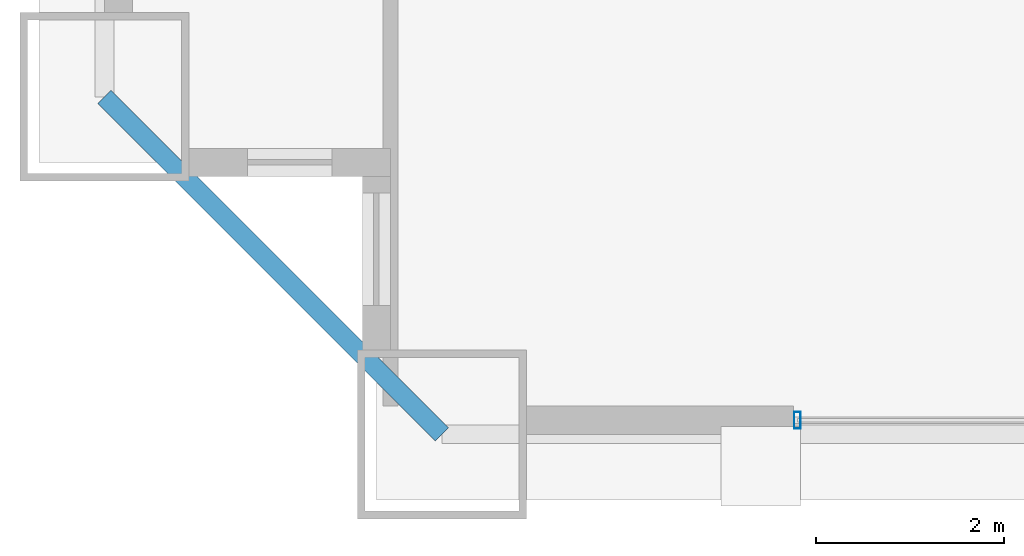
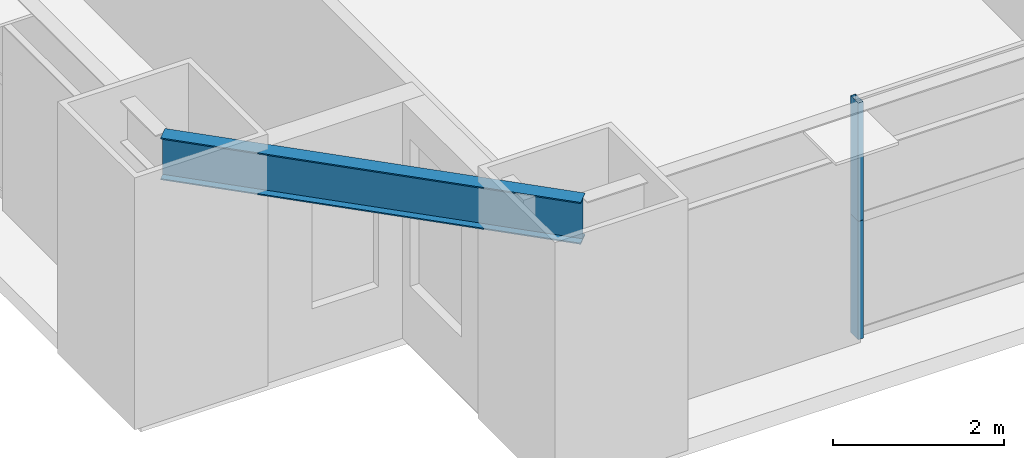
# One storey, part 3 of 43: 2 members, 1 beam, 1 element without a shape of its own.
"""IFC4 building model written with IfcOpenShell, lengths in metres."""

from ifc_helpers import new_model, si_unit, direction, frame, origin, origin_2d, place, context, subcontext, project, spatial, hollow_rectangle, i_section, extrude, source, transform, mapped, material, layer, layer_set, material_profile, profile_set, type_object, element, aggregate, save


model = new_model("IFC4")

# Units and contexts
model_context = context("Model", 3, precision=1e-05, world=origin(), true_north=direction((0.0, 1.0)))
body_context = subcontext(model_context, "Body", "Model", "MODEL_VIEW")
ifc_project = project(units=[si_unit("LENGTHUNIT", "METRE"), si_unit("AREAUNIT", "SQUARE_METRE"), si_unit("VOLUMEUNIT", "CUBIC_METRE"), si_unit("PLANEANGLEUNIT", "RADIAN"), si_unit("MASSUNIT", "GRAM", prefix="KILO"), si_unit("THERMODYNAMICTEMPERATUREUNIT", "KELVIN"), si_unit("POWERUNIT", "WATT")], contexts=[model_context])

# Site, building, storey
site_placement = place(None, origin())
site = spatial("IfcSite", under=ifc_project, at=site_placement, CompositionType="ELEMENT")
building_placement = place(site_placement, origin())
building = spatial("IfcBuilding", under=site, at=building_placement, Name="Yuzanri Waterfront Tower", CompositionType="ELEMENT")
storey_placement = place(building_placement, frame((0.0, 0.0, 71.199951171875)))
storey = spatial("IfcBuildingStorey", under=building, at=storey_placement, Name="L18", CompositionType="ELEMENT", Elevation=71.199951171875)

# Beam
ifc_material_1 = material(Name="Steel Q355B", Category="steel")
ifc_material_profile_1 = material_profile(ifc_material_1, i_section(OverallWidth=0.199951171875, OverallDepth=0.60009765625, WebThickness=0.010986328125, FlangeThickness=0.01708984375, at=origin_2d()), Name="HN 600x200x11x17")
ifc_profile_set_1 = profile_set([ifc_material_profile_1], Name="Steel Q355B")
beam_type = type_object("IfcBeamType", Name="Perimeter Spandrel Q355B HN 600x200", PredefinedType="SPANDREL", material=ifc_profile_set_1)
shared_shape_1 = source(origin(), body_context, "Body", "SweptSolid", [
    extrude(i_section(OverallWidth=0.199951171875, OverallDepth=0.60009765625, WebThickness=0.010986328125, FlangeThickness=0.01708984375, at=origin_2d()), origin(), (0.0, 0.0, 1.0), 5.09130859375),
])
beam_placement = place(storey_placement, frame((11.89990234375, 4.300048828125, 3.080078125), z_axis=(0.707106781187, -0.707106781187, 0.0), x_axis=(0.707106781187, 0.707106781187, 0.0)))
element("IfcBeam", 1, at=beam_placement, inside=storey, type_object=beam_type, Name="L18 Perimeter Spandrel W1-S1", PredefinedType="SPANDREL", context=body_context, shape_type="MappedRepresentation", body=[
    mapped(shared_shape_1, transform((0.0, 0.0, 0.0), scale=1.0)),
])

# Curtain wall, members
ifc_material_2 = material(Name="Anodized Architectural Bronze", Category="metal")
ifc_layer = layer(ifc_material_2, 0.159912109375)
ifc_layer_set = layer_set([ifc_layer], Name="Anodized Architectural Bronze")
curtain_wall_type = type_object("IfcCurtainWallType", Name="Anodized Bronze Hotel Lower-Tier Recessed Unitized Curtain Wall 8100", PredefinedType="NOTDEFINED", material=ifc_layer_set)
curtain_wall_placement = place(storey_placement, origin())
curtain_wall = element("IfcCurtainWall", 2, at=curtain_wall_placement, inside=storey, type_object=curtain_wall_type, Name="L18 Curtain Wall CW-L18-SL1", PredefinedType="NOTDEFINED")
ifc_material_3 = material(Name="Anodized Architectural Bronze", Category="metal")
ifc_material_profile_2 = material_profile(ifc_material_3, hollow_rectangle(XDim=0.070068359375, YDim=0.179931640625, WallThickness=0.00390625, at=origin_2d()), Name="CWM 70x180")
ifc_profile_set_2 = profile_set([ifc_material_profile_2], Name="Anodized Architectural Bronze")
member_type = type_object("IfcMemberType", Name="Anodized Bronze Standard Curtain-Wall Mullion 70x180", PredefinedType="MULLION", material=ifc_profile_set_2)
shared_shape_2 = source(origin(), body_context, "Body", "SweptSolid", [
    extrude(hollow_rectangle(XDim=0.070068359375, YDim=0.179931640625, WallThickness=0.00390625, at=origin_2d()), origin(), (0.0, 0.0, 1.0), 1.68798828125),
])
member_1_placement = place(storey_placement, frame((19.2900390625, 0.85009765625, 0.0), z_axis=(0.0, 0.0, 1.0), x_axis=(1.0, 0.0, 0.0)))
member_1 = element("IfcMember", 3, at=member_1_placement, type_object=member_type, Name="CW-L18-SL1 Lower Mullion 00", PredefinedType="MULLION", context=body_context, shape_type="MappedRepresentation", body=[
    mapped(shared_shape_2, transform((0.0, 0.0, 0.0), scale=1.0)),
])
member_2_placement = place(storey_placement, frame((19.2900390625, 0.85009765625, 1.692138671875), z_axis=(0.0, 0.0, 1.0), x_axis=(1.0, 0.0, 0.0)))
member_2 = element("IfcMember", 4, at=member_2_placement, type_object=member_type, Name="CW-L18-SL1 Upper Mullion 00", PredefinedType="MULLION", context=body_context, shape_type="MappedRepresentation", body=[
    mapped(shared_shape_2, transform((0.0, 0.0, 0.0), scale=1.0)),
])
aggregate(curtain_wall, [member_1, member_2])

save(model, "model.ifc")
